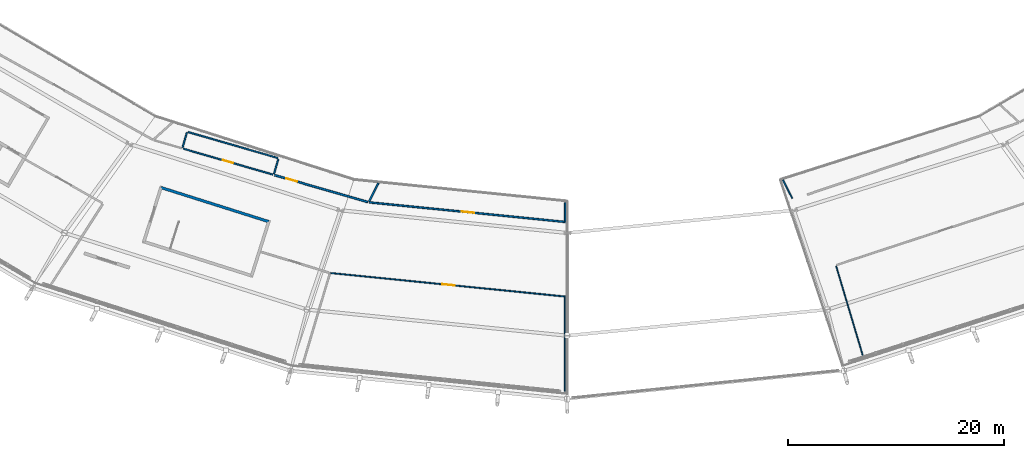
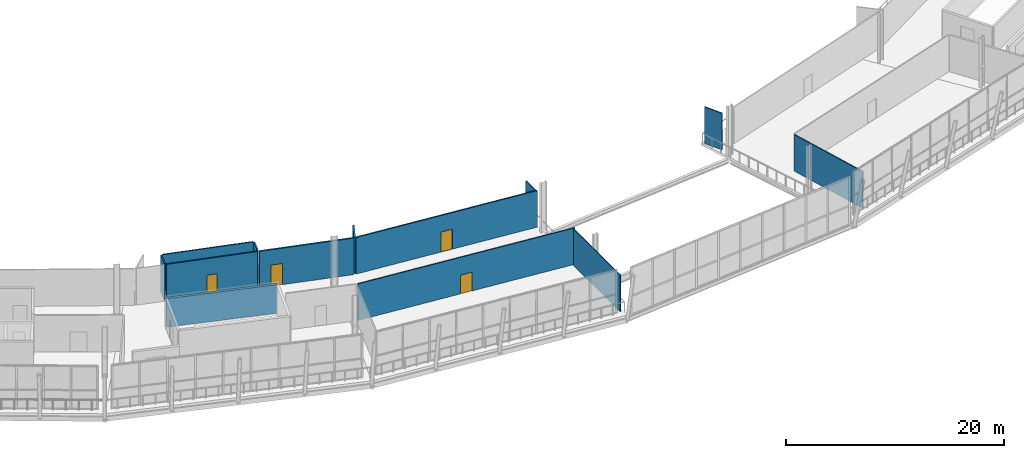
# One storey, part 84 of 99: 13 walls, 4 doors, 4 openings.
"""IFC4 building model written with IfcOpenShell, lengths in metres."""

import ifcopenshell
import ifcopenshell.guid

model = None  # the IFC model being written
_history = None  # IfcOwnerHistory: only IFC2X3 demands one
_inside = {}  # id of a spatial element -> (the spatial element, [elements in it])
_under = {}  # id of a project, library or spatial element -> (it, [spatial elements below it])
_declared = {}  # id of a project -> (the project, [libraries it declares])
_typed = {}  # id of a type object -> (the type object, [elements of that type])
_made_of = {}  # id of a material, layer set ... -> (it, [elements and type objects made of it])


def new_model(schema):
    """Start an empty IFC model of exactly this schema.

    Asked for "IFC4X3", IfcOpenShell would pick the latest addendum, in which some entities
    have other attributes; the version numbers below select the first issue.
    IFC2X3 requires an IfcOwnerHistory on every rooted entity: one is made here for all.
    """
    global model, _history
    if schema == "IFC4X3":
        model = ifcopenshell.file(schema_version=(4, 3, 0, 0))
    else:
        model = ifcopenshell.file(schema=schema)
    _inside.clear()
    _under.clear()
    _declared.clear()
    _typed.clear()
    _made_of.clear()
    _history = None
    if model.schema == "IFC2X3":
        org = make("IfcOrganization", Name="unknown")
        user = make(
            "IfcPersonAndOrganization",
            ThePerson=make("IfcPerson", FamilyName="unknown"),
            TheOrganization=org,
        )
        app = make(
            "IfcApplication",
            ApplicationDeveloper=org,
            Version="unknown",
            ApplicationFullName="unknown",
            ApplicationIdentifier="unknown",
        )
        _history = make(
            "IfcOwnerHistory",
            OwningUser=user,
            OwningApplication=app,
            ChangeAction="ADDED",
            CreationDate=0,
        )
    return model


def make(cls, **values):
    """One entity of the class cls with the attributes given. An attribute that is None is left unset."""
    return model.create_entity(
        cls, **{name: value for name, value in values.items() if value is not None}
    )


def rooted(cls, **values):
    """An entity with a GlobalId (a new one), such as an element, a storey or a relation."""
    return make(cls, GlobalId=ifcopenshell.guid.new(), OwnerHistory=_history, **values)


def si_unit(unit_type, name, prefix=None):
    """IfcSIUnit, for example si_unit("LENGTHUNIT", "METRE", prefix="MILLI")."""
    return make("IfcSIUnit", UnitType=unit_type, Prefix=prefix, Name=name)


def assignment(units):
    """IfcUnitAssignment: the units of a project."""
    return None if units is None else make("IfcUnitAssignment", Units=units)


def point(xyz):
    """IfcCartesianPoint."""
    return None if xyz is None else make("IfcCartesianPoint", Coordinates=xyz)


def direction(xyz):
    """IfcDirection."""
    return None if xyz is None else make("IfcDirection", DirectionRatios=xyz)


def frame(location, z_axis=None, x_axis=None):
    """IfcAxis2Placement3D, a coordinate frame: its origin and axes. An axis left out is left unset."""
    return make(
        "IfcAxis2Placement3D",
        Location=point(location),
        Axis=direction(z_axis),
        RefDirection=direction(x_axis),
    )


def frame_2d(location, x_axis=None):
    """IfcAxis2Placement2D, a coordinate frame in the plane: its origin and x axis."""
    return make(
        "IfcAxis2Placement2D", Location=point(location), RefDirection=direction(x_axis)
    )


def origin():
    """The frame at (0, 0, 0) with its axes left unset."""
    return frame((0.0, 0.0, 0.0))


def place(relative_to, where):
    """IfcLocalPlacement: puts the frame where relative to a parent placement (None: the world)."""
    return make(
        "IfcLocalPlacement", PlacementRelTo=relative_to, RelativePlacement=where
    )


def context(
    kind, dimensions, precision=None, world=None, true_north=None, identifier=None
):
    """IfcGeometricRepresentationContext, for example the 3D "Model" context."""
    return make(
        "IfcGeometricRepresentationContext",
        ContextIdentifier=identifier,
        ContextType=kind,
        CoordinateSpaceDimension=dimensions,
        Precision=precision,
        WorldCoordinateSystem=world,
        TrueNorth=true_north,
    )


def subcontext(parent, identifier, kind, view, scale=None):
    """IfcGeometricRepresentationSubContext, for example "Body" below "Model"."""
    return make(
        "IfcGeometricRepresentationSubContext",
        ContextIdentifier=identifier,
        ContextType=kind,
        ParentContext=parent,
        TargetScale=scale,
        TargetView=view,
    )


def project(units=None, contexts=None):
    """IfcProject with its units and contexts."""
    return rooted(
        "IfcProject",
        Name="project",
        RepresentationContexts=contexts,
        UnitsInContext=assignment(units),
    )


def spatial(cls, under=None, at=None, **own):
    """A site, building, storey or space (cls), placed at a placement, below another one or the project."""
    s = rooted(cls, ObjectPlacement=at, **own)
    if under is not None:
        _under.setdefault(under.id(), (under, []))[1].append(s)
    return s


def profile(cls, at=None, kind="AREA", **sizes):
    """A parametric profile (cls). Its sizes go by their IFC names, for example OverallWidth=200.0."""
    return make(cls, ProfileType=kind, Position=at, **sizes)


def rectangle(**sizes):
    """IfcRectangleProfileDef."""
    return profile("IfcRectangleProfileDef", **sizes)


def extrude(swept, where, along, depth):
    """IfcExtrudedAreaSolid: the profile swept, set in the frame where, extruded along a direction by depth."""
    return make(
        "IfcExtrudedAreaSolid",
        SweptArea=swept,
        Position=where,
        ExtrudedDirection=direction(along),
        Depth=depth,
    )


def shape(context_of_items, identifier, shape_type, items):
    """IfcShapeRepresentation: the items that make up one representation, for example the "Body"."""
    return make(
        "IfcShapeRepresentation",
        ContextOfItems=context_of_items,
        RepresentationIdentifier=identifier,
        RepresentationType=shape_type,
        Items=items,
    )


def material(Name=None, Category=None):
    """IfcMaterial."""
    return make("IfcMaterial", Name=Name, Category=Category)


def layer(
    of_material, thickness, ventilated=None, Name=None, Category=None, Priority=None
):
    """IfcMaterialLayer: one layer of a wall or slab, of a material (None: an air gap)."""
    return make(
        "IfcMaterialLayer",
        Material=of_material,
        LayerThickness=thickness,
        IsVentilated=ventilated,
        Name=Name,
        Category=Category,
        Priority=Priority,
    )


def layer_set(layers, Name=None):
    """IfcMaterialLayerSet."""
    return make("IfcMaterialLayerSet", MaterialLayers=layers, LayerSetName=Name)


def made_of(thing, what):
    """Note that an element or type object is made of a material, layer set ...; save() writes the relation."""
    if what is not None:
        _made_of.setdefault(what.id(), (what, []))[1].append(thing)
    return thing


def type_object(cls, material=None, **own):
    """A type object (cls), such as IfcWallType, which elements share."""
    return made_of(rooted(cls, **own), material)


def element(
    cls,
    number,
    at=None,
    inside=None,
    cuts=None,
    type_object=None,
    material=None,
    context=None,
    identifier="Body",
    shape_type=None,
    held_by="IfcProductDefinitionShape",
    body=None,
    shapes=None,
    **own,
):
    """One element of the class cls, such as IfcWall. Its Tag is "e" and its number.

    at: its placement. inside: the storey or other place that contains it. cuts: it is an
    opening in that element (IfcRelVoidsElement). A single representation is given by context,
    identifier, shape_type and body (its items); several are given by shapes. held_by: the class
    of the entity that holds the representations. save() writes the other relations.
    """
    e = rooted(cls, Tag="e%d" % number, ObjectPlacement=at, **own)
    if body is not None:
        shapes = [shape(context, identifier, shape_type, body)]
    if shapes is not None:
        e.Representation = make(held_by, Representations=shapes)
    if inside is not None:
        _inside.setdefault(inside.id(), (inside, []))[1].append(e)
    if cuts is not None:
        rooted(
            "IfcRelVoidsElement", RelatingBuildingElement=cuts, RelatedOpeningElement=e
        )
    if type_object is not None:
        _typed.setdefault(type_object.id(), (type_object, []))[1].append(e)
    return made_of(e, material)


def fill(opening, filler):
    """IfcRelFillsElement: the door or window that sits in an opening."""
    return rooted(
        "IfcRelFillsElement",
        RelatingOpeningElement=opening,
        RelatedBuildingElement=filler,
    )


def aggregate(whole, parts):
    """IfcRelAggregates: a whole, such as a stair, and the parts it consists of."""
    return rooted("IfcRelAggregates", RelatingObject=whole, RelatedObjects=parts)


def save(model, path):
    """Write the relations noted so far, then the file.

    IfcRelAggregates (storeys below a building ...), IfcRelContainedInSpatialStructure (elements
    in a storey), IfcRelDefinesByType, IfcRelAssociatesMaterial and IfcRelDeclares: one each for
    every whole, place, type object, material and project.
    """
    for whole, parts in _under.values():
        aggregate(whole, parts)
    for where, things in _inside.values():
        rooted(
            "IfcRelContainedInSpatialStructure",
            RelatedElements=things,
            RelatingStructure=where,
        )
    for kind, things in _typed.values():
        rooted("IfcRelDefinesByType", RelatedObjects=things, RelatingType=kind)
    for what, things in _made_of.values():
        rooted("IfcRelAssociatesMaterial", RelatedObjects=things, RelatingMaterial=what)
    for by, libraries in _declared.values():
        rooted("IfcRelDeclares", RelatingContext=by, RelatedDefinitions=libraries)
    model.write(path)


model = new_model("IFC4")

# Units and contexts
model_context = context("Model", 3, precision=1e-05, world=origin(), true_north=direction((0.0, 1.0)))
body_context = subcontext(model_context, "Body", "Model", "MODEL_VIEW")
ifc_project = project(units=[si_unit("LENGTHUNIT", "METRE"), si_unit("AREAUNIT", "SQUARE_METRE"), si_unit("VOLUMEUNIT", "CUBIC_METRE"), si_unit("PLANEANGLEUNIT", "RADIAN"), si_unit("MASSUNIT", "GRAM", prefix="KILO")], contexts=[model_context])

# Site, building, storey
site_placement = place(None, origin())
site = spatial("IfcSite", under=ifc_project, at=site_placement, CompositionType="ELEMENT")
building_placement = place(site_placement, origin())
building = spatial("IfcBuilding", under=site, at=building_placement, Name="Zlatoyarsky Gate Stadium", CompositionType="ELEMENT")
storey_placement = place(building_placement, frame((0.0, 0.0, 26.199951171875)))
storey = spatial("IfcBuildingStorey", under=building, at=storey_placement, Name="L05", CompositionType="ELEMENT", Elevation=26.199951171875)

# Wall, opening, door
ifc_material_1 = material(Name="Double-stud acoustic gypsum partition", Category="gypsum")
ifc_layer_1 = layer(ifc_material_1, 0.169921875)
ifc_layer_set_1 = layer_set([ifc_layer_1], Name="Double-stud acoustic gypsum partition")
wall_type_1 = type_object("IfcWallType", Name="ACOUSTIC BROADCAST STUDIO WALL 170", PredefinedType="PARTITIONING", material=ifc_layer_set_1)
wall_1_placement = place(storey_placement, frame((83.9462890625, 23.84765625, 0.0), z_axis=(0.0, 0.0, 1.0), x_axis=(0.960579584174, -0.278005148276, 0.0)))
wall_1 = element("IfcWall", 1, at=wall_1_placement, inside=storey, type_object=wall_type_1, Name="L05 interior partition PRT-L05-ICC-16", PredefinedType="PARTITIONING", context=body_context, shape_type="SweptSolid", body=[
    extrude(rectangle(XDim=8.960205078125, YDim=0.169921875, at=frame_2d((4.47998046875, 0.0))), origin(), (0.0, 0.0, 1.0), 4.10009765625),
])
opening_1_placement = place(wall_1_placement, frame((1.10009765625, 0.0, 0.0)))
opening_1 = element("IfcOpeningElement", 2, at=opening_1_placement, cuts=wall_1, Name="Opening D-L05-650", PredefinedType="OPENING", context=body_context, shape_type="SweptSolid", body=[
    extrude(rectangle(XDim=1.080078125, YDim=2.3798828125, at=frame_2d((0.5400390625, 1.18994140625))), frame((0.0, 0.094970703125, 0.0), z_axis=(0.0, -1.0, 0.0), x_axis=(1.0, 0.0, 0.0)), (0.0, 0.0, 1.0), 0.18994140625),
])
ifc_material_2 = material(Name="Powder-coated steel fire door", Category="steel")
door_type_1 = type_object("IfcDoorType", Name="ACOUSTIC INTERIOR DOOR 1080X2380", OperationType="NOTDEFINED", PredefinedType="DOOR", material=ifc_material_2)
door_1_placement = place(opening_1_placement, origin())
door_1 = element("IfcDoor", 3, at=door_1_placement, inside=storey, type_object=door_type_1, Name="L05 room door D-L05-650", OperationType="SINGLE_SWING_RIGHT", OverallHeight=2.3798828125, OverallWidth=1.080078125, PredefinedType="DOOR", context=body_context, shape_type="SweptSolid", body=[
    extrude(rectangle(XDim=1.080078125, YDim=2.3798828125, at=frame_2d((0.5400390625, 1.18994140625))), frame((0.0, 0.02490234375, 0.0), z_axis=(0.0, -1.0, 0.0), x_axis=(1.0, 0.0, 0.0)), (0.0, 0.0, 1.0), 0.050048828125),
])
fill(opening_1, door_1)

# Wall
ifc_material_3 = material(Name="Moisture-resistant masonry partition", Category="masonry")
ifc_layer_2 = layer(ifc_material_3, 0.139892578125)
ifc_layer_set_2 = layer_set([ifc_layer_2], Name="Moisture-resistant masonry partition")
wall_type_2 = type_object("IfcWallType", Name="ATHLETE CHANGING BLOCK PARTITION 140", PredefinedType="PARTITIONING", material=ifc_layer_set_2)
wall_2_placement = place(storey_placement, frame((110.801025390625, 21.31494140625, 0.0), z_axis=(0.0, 0.0, 1.0), x_axis=(0.0, -1.0, 0.0)))
element("IfcWall", 4, at=wall_2_placement, inside=storey, type_object=wall_type_2, Name="L05 interior partition PRT-L05-IRD-18E", PredefinedType="PARTITIONING", context=body_context, shape_type="SweptSolid", body=[
    extrude(rectangle(XDim=1.749755859375, YDim=0.139892578125, at=frame_2d((0.875, 0.0))), origin(), (0.0, 0.0, 1.0), 4.10009765625),
])

# Wall, opening, door
ifc_material_4 = material(Name="Metal-stud gypsum partition", Category="gypsum")
ifc_layer_3 = layer(ifc_material_4, 0.14990234375)
ifc_layer_set_3 = layer_set([ifc_layer_3], Name="Metal-stud gypsum partition")
wall_type_3 = type_object("IfcWallType", Name="CONCOURSE CORRIDOR PARTITION 150", PredefinedType="PARTITIONING", material=ifc_layer_set_3)
wall_3_placement = place(storey_placement, frame((92.719482421875, 21.32470703125, 0.0), z_axis=(0.0, 0.0, 1.0), x_axis=(0.995054359901, -0.099331872235, 0.0)))
wall_3 = element("IfcWall", 5, at=wall_3_placement, inside=storey, type_object=wall_type_3, Name="L05 interior partition PRT-L05-ICC-17", PredefinedType="PARTITIONING", context=body_context, shape_type="SweptSolid", body=[
    extrude(rectangle(XDim=18.2861328125, YDim=0.14990234375, at=frame_2d((9.14306640625, 0.0))), origin(), (0.0, 0.0, 1.0), 4.10009765625),
])
opening_2_placement = place(wall_3_placement, frame((8.563232421875, 0.0, 0.0)))
opening_2 = element("IfcOpeningElement", 6, at=opening_2_placement, cuts=wall_3, Name="Opening D-L05-652", PredefinedType="OPENING", context=body_context, shape_type="SweptSolid", body=[
    extrude(rectangle(XDim=1.159912109375, YDim=2.239990234375, at=frame_2d((0.580078125, 1.1201171875))), frame((0.0, 0.0849609375, 0.0), z_axis=(0.0, -1.0, 0.0), x_axis=(1.0, 0.0, 0.0)), (0.0, 0.0, 1.0), 0.169921875),
])
door_type_2 = type_object("IfcDoorType", Name="ACOUSTIC INTERIOR DOOR 1160X2240", OperationType="NOTDEFINED", PredefinedType="DOOR", material=ifc_material_2)
door_2_placement = place(opening_2_placement, origin())
door_2 = element("IfcDoor", 7, at=door_2_placement, inside=storey, type_object=door_type_2, Name="L05 room door D-L05-652", OperationType="SINGLE_SWING_LEFT", OverallHeight=2.239990234375, OverallWidth=1.159912109375, PredefinedType="DOOR", context=body_context, shape_type="SweptSolid", body=[
    extrude(rectangle(XDim=1.159912109375, YDim=2.239990234375, at=frame_2d((0.580078125, 1.1201171875))), frame((0.0, 0.02490234375, 0.0), z_axis=(0.0, -1.0, 0.0), x_axis=(1.0, 0.0, 0.0)), (0.0, 0.0, 1.0), 0.050048828125),
])
fill(opening_2, door_2)

# Walls
ifc_material_5 = material(Name="Concrete C40/50", Category="concrete")
ifc_layer_4 = layer(ifc_material_5, 0.25)
ifc_layer_set_4 = layer_set([ifc_layer_4], Name="Concrete C40/50")
wall_type_4 = type_object("IfcWallType", Name="CONCRETE STAIR CORE SHEAR WALL 250", PredefinedType="SHEAR", material=ifc_layer_set_4)
wall_4_placement = place(storey_placement, frame((83.400390625, 19.5478515625, 0.0), z_axis=(0.0, 0.0, 1.0), x_axis=(-0.953459710305, 0.301520448438, 0.0)))
element("IfcWall", 8, at=wall_4_placement, inside=storey, type_object=wall_type_4, Name="ST-09 L05 stair core right shear wall", PredefinedType="SHEAR", context=body_context, shape_type="SweptSolid", body=[
    extrude(rectangle(XDim=10.449951171875, YDim=0.25, at=frame_2d((5.22509765625, 0.0))), origin(), (0.0, 0.0, 1.0), 3.199951171875),
])
ifc_material_6 = material(Name="Timber-veneered acoustic operable partition", Category="wood")
ifc_layer_5 = layer(ifc_material_6, 0.094970703125)
ifc_layer_set_5 = layer_set([ifc_layer_5], Name="Timber-veneered acoustic operable partition")
wall_type_5 = type_object("IfcWallType", Name="FOLDING BANQUET SALON WALL 95", PredefinedType="MOVABLE", material=ifc_layer_set_5)
wall_5_placement = place(storey_placement, frame((135.858642578125, 15.4326171875, 0.0), z_axis=(0.0, 0.0, 1.0), x_axis=(0.286006578687, -0.95822765403, 0.0)))
element("IfcWall", 9, at=wall_5_placement, inside=storey, type_object=wall_type_5, Name="L05 interior partition PRT-L05-ORD-19L", PredefinedType="MOVABLE", context=body_context, shape_type="SweptSolid", body=[
    extrude(rectangle(XDim=8.66845703125, YDim=0.094970703125, at=frame_2d((4.334228515625, 0.0))), origin(), (0.0, 0.0, 1.0), 4.10009765625),
])
ifc_material_7 = material(Name="Acoustic metal-stud gypsum partition", Category="gypsum")
ifc_layer_6 = layer(ifc_material_7, 0.159912109375)
ifc_layer_set_6 = layer_set([ifc_layer_6], Name="Acoustic metal-stud gypsum partition")
wall_type_6 = type_object("IfcWallType", Name="HOSPITALITY SUITE PARTITION 160", PredefinedType="PARTITIONING", material=ifc_layer_set_6)
wall_6_placement = place(storey_placement, frame((93.533203125, 23.108642578125, 0.0), z_axis=(0.0, 0.0, 1.0), x_axis=(-0.451514654863, -0.892263703422, 0.0)))
element("IfcWall", 10, at=wall_6_placement, inside=storey, type_object=wall_type_6, Name="L05 interior partition PRT-L05-IRD-17", PredefinedType="PARTITIONING", context=body_context, shape_type="SweptSolid", body=[
    extrude(rectangle(XDim=1.905029296875, YDim=0.159912109375, at=frame_2d((0.95263671875, 0.0))), origin(), (0.0, 0.0, 1.0), 4.10009765625),
])
ifc_layer_7 = layer(ifc_material_4, 0.110107421875)
ifc_layer_set_7 = layer_set([ifc_layer_7], Name="Metal-stud gypsum partition")
wall_type_7 = type_object("IfcWallType", Name="KIOSK SERVICE PARTITION 110", PredefinedType="PARTITIONING", material=ifc_layer_set_7)
wall_7_placement = place(storey_placement, frame((130.94580078125, 23.40087890625, 0.0), z_axis=(0.0, 0.0, 1.0), x_axis=(0.450893699707, -0.892577655761, 0.0)))
element("IfcWall", 11, at=wall_7_placement, inside=storey, type_object=wall_type_7, Name="L05 interior partition PRT-L05-IRD-19G", PredefinedType="PARTITIONING", context=body_context, shape_type="SweptSolid", body=[
    extrude(rectangle(XDim=1.90869140625, YDim=0.110107421875, at=frame_2d((0.954345703125, 0.0))), origin(), (0.0, 0.0, 1.0), 4.10009765625),
])

# Wall, opening, door
wall_8_placement = place(storey_placement, frame((89.150146484375, 14.793212890625, 0.0), z_axis=(0.0, 0.0, 1.0), x_axis=(0.99499954773, -0.099879427399, 0.0)))
wall_8 = element("IfcWall", 12, at=wall_8_placement, inside=storey, type_object=wall_type_7, Name="L05 interior partition PRT-L05-OCC-17-1", PredefinedType="PARTITIONING", context=body_context, shape_type="SweptSolid", body=[
    extrude(rectangle(XDim=21.87451171875, YDim=0.110107421875, at=frame_2d((10.937255859375, 0.0))), origin(), (0.0, 0.0, 1.0), 4.10009765625),
])
opening_3_placement = place(wall_8_placement, frame((10.357421875, 0.0, 0.0)))
opening_3 = element("IfcOpeningElement", 13, at=opening_3_placement, cuts=wall_8, Name="Opening D-L05-696", PredefinedType="OPENING", context=body_context, shape_type="SweptSolid", body=[
    extrude(rectangle(XDim=1.159912109375, YDim=2.10009765625, at=frame_2d((0.580078125, 1.050048828125))), frame((0.0, 0.06494140625, 0.0), z_axis=(0.0, -1.0, 0.0), x_axis=(1.0, 0.0, 0.0)), (0.0, 0.0, 1.0), 0.130126953125),
])
ifc_material_8 = material(Name="Solid-core oak veneer acoustic door", Category="wood")
door_type_3 = type_object("IfcDoorType", Name="ACOUSTIC INTERIOR DOOR 1160X2100", OperationType="NOTDEFINED", PredefinedType="DOOR", material=ifc_material_8)
door_3_placement = place(opening_3_placement, origin())
door_3 = element("IfcDoor", 14, at=door_3_placement, inside=storey, type_object=door_type_3, Name="L05 room door D-L05-696", OperationType="SINGLE_SWING_LEFT", OverallHeight=2.10009765625, OverallWidth=1.159912109375, PredefinedType="DOOR", context=body_context, shape_type="SweptSolid", body=[
    extrude(rectangle(XDim=1.159912109375, YDim=2.10009765625, at=frame_2d((0.580078125, 1.050048828125))), frame((0.0, 0.02490234375, 0.0), z_axis=(0.0, -1.0, 0.0), x_axis=(1.0, 0.0, 0.0)), (0.0, 0.0, 1.0), 0.050048828125),
])
fill(opening_3, door_3)

# Wall
ifc_layer_8 = layer(ifc_material_4, 0.10009765625)
ifc_layer_set_8 = layer_set([ifc_layer_8], Name="Metal-stud gypsum partition")
wall_type_8 = type_object("IfcWallType", Name="LIGHT STORAGE PARTITION 100", PredefinedType="PARTITIONING", material=ifc_layer_set_8)
wall_9_placement = place(storey_placement, frame((110.751220703125, 12.489990234375, 0.0), z_axis=(0.0, 0.0, 1.0), x_axis=(0.0, -1.0, 0.0)))
element("IfcWall", 15, at=wall_9_placement, inside=storey, type_object=wall_type_8, Name="L05 interior partition PRT-L05-ORD-17R", PredefinedType="PARTITIONING", context=body_context, shape_type="SweptSolid", body=[
    extrude(rectangle(XDim=8.6083984375, YDim=0.10009765625, at=frame_2d((4.30419921875, 0.0))), origin(), (0.0, 0.0, 1.0), 4.10009765625),
])

# Wall, opening, door
ifc_material_9 = material(Name="Moisture-resistant tile-backed partition", Category="gypsum")
ifc_layer_9 = layer(ifc_material_9, 0.1298828125)
ifc_layer_set_9 = layer_set([ifc_layer_9], Name="Moisture-resistant tile-backed partition")
wall_type_9 = type_object("IfcWallType", Name="SANITARY WET ROOM PARTITION 130", PredefinedType="PARTITIONING", material=ifc_layer_set_9)
wall_10_placement = place(storey_placement, frame((75.4931640625, 26.294189453125, 0.0), z_axis=(0.0, 0.0, 1.0), x_axis=(0.9605799714, -0.278003810306, 0.0)))
wall_10 = element("IfcWall", 16, at=wall_10_placement, inside=storey, type_object=wall_type_9, Name="L05 interior partition PRT-L05-WC16-F", PredefinedType="PARTITIONING", context=body_context, shape_type="SweptSolid", body=[
    extrude(rectangle(XDim=8.6298828125, YDim=0.1298828125, at=frame_2d((4.31494140625, 0.0))), origin(), (0.0, 0.0, 1.0), 4.10009765625),
])
opening_4_placement = place(wall_10_placement, frame((3.835205078125, 0.0, 0.0)))
opening_4 = element("IfcOpeningElement", 17, at=opening_4_placement, cuts=wall_10, Name="Opening D-L05-645", PredefinedType="OPENING", context=body_context, shape_type="SweptSolid", body=[
    extrude(rectangle(XDim=0.9599609375, YDim=2.239990234375, at=frame_2d((0.47998046875, 1.1201171875))), frame((0.0, 0.074951171875, 0.0), z_axis=(0.0, -1.0, 0.0), x_axis=(1.0, 0.0, 0.0)), (0.0, 0.0, 1.0), 0.14990234375),
])
door_type_4 = type_object("IfcDoorType", Name="ACOUSTIC INTERIOR DOOR 960X2240", OperationType="NOTDEFINED", PredefinedType="DOOR", material=ifc_material_8)
door_4_placement = place(opening_4_placement, origin())
door_4 = element("IfcDoor", 18, at=door_4_placement, inside=storey, type_object=door_type_4, Name="L05 room door D-L05-645", OperationType="SINGLE_SWING_LEFT", OverallHeight=2.239990234375, OverallWidth=0.9599609375, PredefinedType="DOOR", context=body_context, shape_type="SweptSolid", body=[
    extrude(rectangle(XDim=0.9599609375, YDim=2.239990234375, at=frame_2d((0.47998046875, 1.1201171875))), frame((0.0, 0.02490234375, 0.0), z_axis=(0.0, -1.0, 0.0), x_axis=(1.0, 0.0, 0.0)), (0.0, 0.0, 1.0), 0.050048828125),
])
fill(opening_4, door_4)

# Walls
wall_11_placement = place(storey_placement, frame((75.93798828125, 27.8310546875, 0.0), z_axis=(0.0, 0.0, 1.0), x_axis=(0.9605799714, -0.278003810306, 0.0)))
element("IfcWall", 19, at=wall_11_placement, inside=storey, type_object=wall_type_9, Name="L05 interior partition PRT-L05-WC16-B", PredefinedType="PARTITIONING", context=body_context, shape_type="SweptSolid", body=[
    extrude(rectangle(XDim=8.6298828125, YDim=0.1298828125, at=frame_2d((4.31494140625, 0.0))), origin(), (0.0, 0.0, 1.0), 4.10009765625),
])
for number, where, z_axis, x_axis, name in (
    (20, (75.43505859375, 26.3994140625, 0.0), (0.0, 0.0, 1.0), (0.278078801072, 0.960558264966, 0.0), "L05 interior partition PRT-L05-WC16-L"),
    (21, (83.88818359375, 23.952880859375, 0.0), (0.0, 0.0, 1.0), (0.278078801072, 0.960558264966, 0.0), "L05 interior partition PRT-L05-WC16-R"),
):
    element("IfcWall", number, at=place(storey_placement, frame(where, z_axis=z_axis, x_axis=x_axis)), inside=storey, type_object=wall_type_9, Name=name, PredefinedType="PARTITIONING", context=body_context, shape_type="SweptSolid", body=[
        extrude(rectangle(XDim=1.43017578125, YDim=0.1298828125, at=frame_2d((0.715087890625, 0.0))), origin(), (0.0, 0.0, 1.0), 4.10009765625),
    ])

save(model, "model.ifc")
